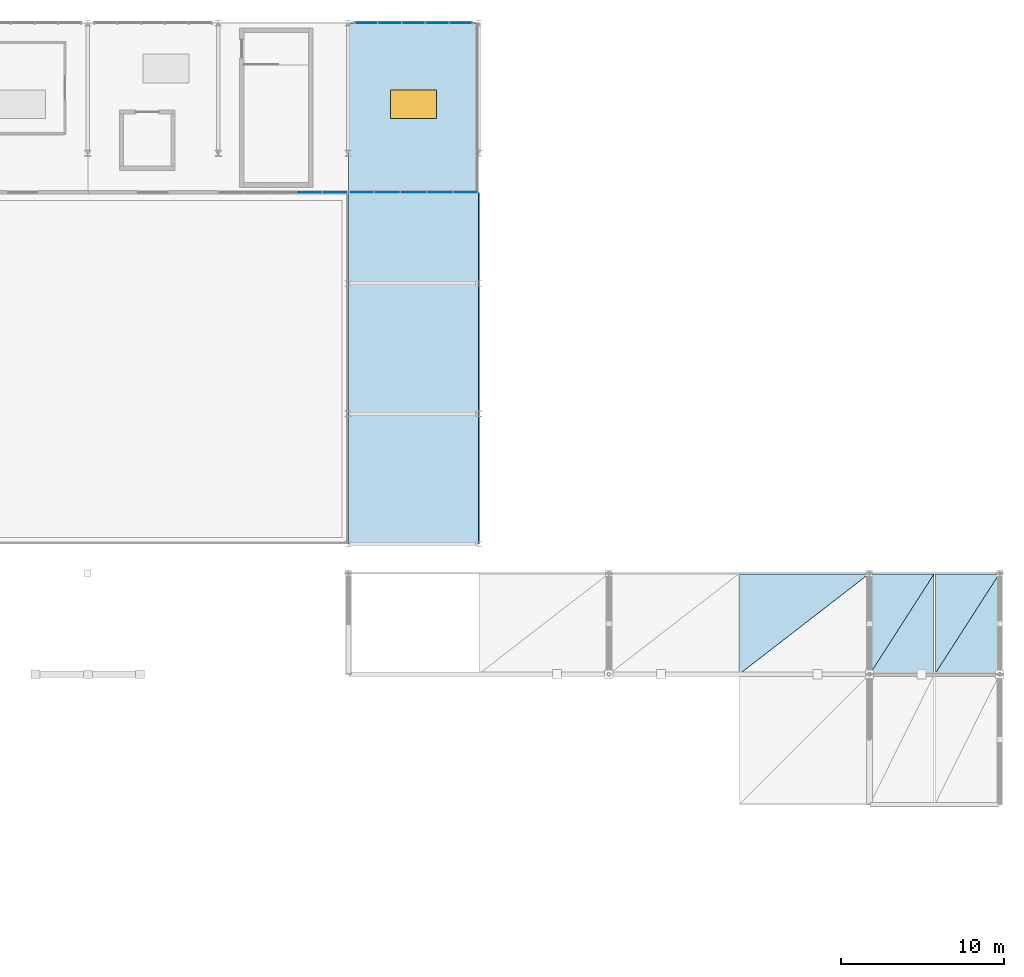
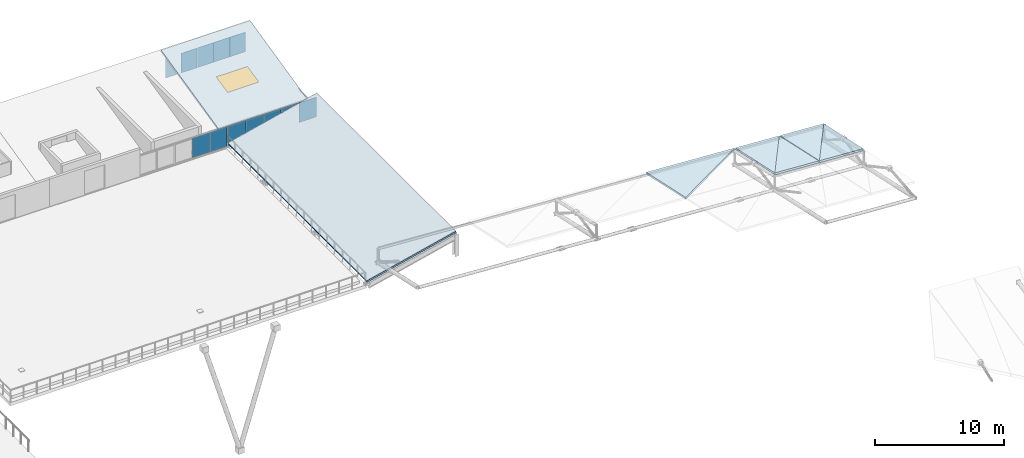
# One storey, part 51 of 83: 12 plates, 7 slabs, 1 window, 1 opening, 3 elements without a shape of their own.
"""IFC4 building model written with IfcOpenShell, lengths in metres."""

from ifc_helpers import new_model, si_unit, direction, frame, origin, origin_2d, place, context, subcontext, project, spatial, polyline, rectangle, outline, extrude, material, layer, layer_set, type_object, element, fill, aggregate, save


model = new_model("IFC4")

# Units and contexts
model_context = context("Model", 3, precision=1e-05, world=origin(), true_north=direction((0.0, 1.0)))
body_context = subcontext(model_context, "Body", "Model", "MODEL_VIEW")
ifc_project = project(units=[si_unit("LENGTHUNIT", "METRE"), si_unit("AREAUNIT", "SQUARE_METRE"), si_unit("VOLUMEUNIT", "CUBIC_METRE"), si_unit("PLANEANGLEUNIT", "RADIAN"), si_unit("MASSUNIT", "GRAM", prefix="KILO")], contexts=[model_context])

# Site, building, storey
site_placement = place(None, origin())
site = spatial("IfcSite", under=ifc_project, at=site_placement, CompositionType="ELEMENT")
building_placement = place(site_placement, origin())
building = spatial("IfcBuilding", under=site, at=building_placement, Name="Drelvath Fold Interchange", CompositionType="ELEMENT")
storey_placement = place(building_placement, frame((0.0, 0.0, 11.199951171875)))
storey = spatial("IfcBuildingStorey", under=building, at=storey_placement, Name="L02", CompositionType="ELEMENT", Elevation=11.199951171875)

# Curtain wall, plates
ifc_material_1 = material(Name="Anodized Aluminium 6063-T6", Category="aluminium")
curtain_wall_type = type_object("IfcCurtainWallType", Name="CW-CYC-SAW", PredefinedType="USERDEFINED", material=ifc_material_1)
curtain_wall_1_placement = place(storey_placement, origin())
curtain_wall_1 = element("IfcCurtainWall", 1, at=curtain_wall_1_placement, inside=storey, type_object=curtain_wall_type, Name="Curtain wall CW-CYC-L02-S126", ObjectType="UNITISED CURTAIN WALL", PredefinedType="USERDEFINED")
ifc_material_2 = material(Name="Low-Iron Insulated Laminated Glass", Category="glass")
ifc_layer_1 = layer(ifc_material_2, 0.028076171875, Name="Low-Iron Insulated Laminated Glass")
ifc_layer_set_1 = layer_set([ifc_layer_1], Name="Low-Iron Insulated Laminated Glass")
plate_type = type_object("IfcPlateType", Name="CP-CYC-A", PredefinedType="CURTAIN_PANEL", material=ifc_layer_set_1)
plate_1_placement = place(storey_placement, frame((131.60009765625, 96.60009765625, 0.0400390625), z_axis=(0.0, 0.0, 1.0), x_axis=(1.0, 0.0, 0.0)))
plate_1 = element("IfcPlate", 2, at=plate_1_placement, type_object=plate_type, Name="CW-CYC-L02-S126 glazed panel 3-0", PredefinedType="CURTAIN_PANEL", context=body_context, shape_type="SweptSolid", body=[
    extrude(rectangle(XDim=1.580078125, YDim=0.028076171875, at=origin_2d()), origin(), (0.0, 0.0, 1.0), 1.8701171875),
])
plate_2_placement = place(storey_placement, frame((133.179931640625, 96.60009765625, 0.0400390625), z_axis=(0.0, 0.0, 1.0), x_axis=(1.0, 0.0, 0.0)))
plate_2 = element("IfcPlate", 3, at=plate_2_placement, type_object=plate_type, Name="CW-CYC-L02-S126 glazed panel 4-0", PredefinedType="CURTAIN_PANEL", context=body_context, shape_type="SweptSolid", body=[
    extrude(rectangle(XDim=1.5400390625, YDim=0.028076171875, at=origin_2d()), origin(), (0.0, 0.0, 1.0), 1.8701171875),
])
aggregate(curtain_wall_1, [plate_1, plate_2])

curtain_wall_2_placement = place(storey_placement, origin())
curtain_wall_2 = element("IfcCurtainWall", 4, at=curtain_wall_2_placement, inside=storey, type_object=curtain_wall_type, Name="Curtain wall CW-CYC-L02-S134", ObjectType="UNITISED CURTAIN WALL", PredefinedType="USERDEFINED")
plate_3_placement = place(storey_placement, frame((134.820068359375, 96.60009765625, 0.0400390625), z_axis=(0.0, 0.0, 1.0), x_axis=(1.0, 0.0, 0.0)))
plate_3 = element("IfcPlate", 5, at=plate_3_placement, type_object=plate_type, Name="CW-CYC-L02-S134 glazed panel 0-0", PredefinedType="CURTAIN_PANEL", context=body_context, shape_type="SweptSolid", body=[
    extrude(rectangle(XDim=1.5400390625, YDim=0.028076171875, at=origin_2d()), origin(), (0.0, 0.0, 1.0), 1.8701171875),
])
plate_4_placement = place(storey_placement, frame((136.39990234375, 96.60009765625, 0.0400390625), z_axis=(0.0, 0.0, 1.0), x_axis=(1.0, 0.0, 0.0)))
plate_4 = element("IfcPlate", 6, at=plate_4_placement, type_object=plate_type, Name="CW-CYC-L02-S134 glazed panel 1-0", PredefinedType="CURTAIN_PANEL", context=body_context, shape_type="SweptSolid", body=[
    extrude(rectangle(XDim=1.580078125, YDim=0.028076171875, at=origin_2d()), origin(), (0.0, 0.0, 1.0), 1.8701171875),
])
plate_5_placement = place(storey_placement, frame((138.0, 96.60009765625, 0.0400390625), z_axis=(0.0, 0.0, 1.0), x_axis=(1.0, 0.0, 0.0)))
plate_5 = element("IfcPlate", 7, at=plate_5_placement, type_object=plate_type, Name="CW-CYC-L02-S134 glazed panel 2-0", PredefinedType="CURTAIN_PANEL", context=body_context, shape_type="SweptSolid", body=[
    extrude(rectangle(XDim=1.580078125, YDim=0.028076171875, at=origin_2d()), origin(), (0.0, 0.0, 1.0), 1.8701171875),
])
plate_6_placement = place(storey_placement, frame((139.60009765625, 96.60009765625, 0.0400390625), z_axis=(0.0, 0.0, 1.0), x_axis=(1.0, 0.0, 0.0)))
plate_6 = element("IfcPlate", 8, at=plate_6_placement, type_object=plate_type, Name="CW-CYC-L02-S134 glazed panel 3-0", PredefinedType="CURTAIN_PANEL", context=body_context, shape_type="SweptSolid", body=[
    extrude(rectangle(XDim=1.580078125, YDim=0.028076171875, at=origin_2d()), origin(), (0.0, 0.0, 1.0), 1.8701171875),
])
plate_7_placement = place(storey_placement, frame((141.179931640625, 96.60009765625, 0.0400390625), z_axis=(0.0, 0.0, 1.0), x_axis=(1.0, 0.0, 0.0)))
plate_7 = element("IfcPlate", 9, at=plate_7_placement, type_object=plate_type, Name="CW-CYC-L02-S134 glazed panel 4-0", PredefinedType="CURTAIN_PANEL", context=body_context, shape_type="SweptSolid", body=[
    extrude(rectangle(XDim=1.5400390625, YDim=0.028076171875, at=origin_2d()), origin(), (0.0, 0.0, 1.0), 1.8701171875),
])
aggregate(curtain_wall_2, [plate_3, plate_4, plate_5, plate_6, plate_7])

curtain_wall_3_placement = place(storey_placement, origin())
curtain_wall_3 = element("IfcCurtainWall", 10, at=curtain_wall_3_placement, inside=storey, type_object=curtain_wall_type, Name="Curtain wall CW-CYC-L02-N134", ObjectType="UNITISED CURTAIN WALL", PredefinedType="USERDEFINED")
plate_8_placement = place(storey_placement, frame((135.10791015625, 107.0, 0.0400390625), z_axis=(0.0, 0.0, 1.0), x_axis=(1.0, 0.0, 0.0)))
plate_8 = element("IfcPlate", 11, at=plate_8_placement, type_object=plate_type, Name="CW-CYC-L02-N134 glazed panel 0-0", PredefinedType="CURTAIN_PANEL", context=body_context, shape_type="SweptSolid", body=[
    extrude(rectangle(XDim=1.39599609375, YDim=0.028076171875, at=origin_2d()), origin(), (0.0, 0.0, 1.0), 1.8701171875),
])
plate_9_placement = place(storey_placement, frame((136.5439453125, 107.0, 0.0400390625), z_axis=(0.0, 0.0, 1.0), x_axis=(1.0, 0.0, 0.0)))
plate_9 = element("IfcPlate", 12, at=plate_9_placement, type_object=plate_type, Name="CW-CYC-L02-N134 glazed panel 1-0", PredefinedType="CURTAIN_PANEL", context=body_context, shape_type="SweptSolid", body=[
    extrude(rectangle(XDim=1.43603515625, YDim=0.028076171875, at=origin_2d()), origin(), (0.0, 0.0, 1.0), 1.8701171875),
])
plate_10_placement = place(storey_placement, frame((138.0, 107.0, 0.0400390625), z_axis=(0.0, 0.0, 1.0), x_axis=(1.0, 0.0, 0.0)))
plate_10 = element("IfcPlate", 13, at=plate_10_placement, type_object=plate_type, Name="CW-CYC-L02-N134 glazed panel 2-0", PredefinedType="CURTAIN_PANEL", context=body_context, shape_type="SweptSolid", body=[
    extrude(rectangle(XDim=1.43603515625, YDim=0.028076171875, at=origin_2d()), origin(), (0.0, 0.0, 1.0), 1.8701171875),
])
plate_11_placement = place(storey_placement, frame((139.4560546875, 107.0, 0.0400390625), z_axis=(0.0, 0.0, 1.0), x_axis=(1.0, 0.0, 0.0)))
plate_11 = element("IfcPlate", 14, at=plate_11_placement, type_object=plate_type, Name="CW-CYC-L02-N134 glazed panel 3-0", PredefinedType="CURTAIN_PANEL", context=body_context, shape_type="SweptSolid", body=[
    extrude(rectangle(XDim=1.43603515625, YDim=0.028076171875, at=origin_2d()), origin(), (0.0, 0.0, 1.0), 1.8701171875),
])
plate_12_placement = place(storey_placement, frame((140.89208984375, 107.0, 0.0400390625), z_axis=(0.0, 0.0, 1.0), x_axis=(1.0, 0.0, 0.0)))
plate_12 = element("IfcPlate", 15, at=plate_12_placement, type_object=plate_type, Name="CW-CYC-L02-N134 glazed panel 4-0", PredefinedType="CURTAIN_PANEL", context=body_context, shape_type="SweptSolid", body=[
    extrude(rectangle(XDim=1.39599609375, YDim=0.028076171875, at=origin_2d()), origin(), (0.0, 0.0, 1.0), 1.8701171875),
])
aggregate(curtain_wall_3, [plate_8, plate_9, plate_10, plate_11, plate_12])

# Slabs
ifc_material_3 = material(Name="Concrete f'c 35 MPa (5000 psi)", Category="concrete")
ifc_layer_2 = layer(ifc_material_3, 0.169921875, Name="Concrete f'c 35 MPa (5000 psi)")
ifc_layer_set_2 = layer_set([ifc_layer_2], Name="Concrete f'c 35 MPa (5000 psi)")
slab_type_1 = type_object("IfcSlabType", Name="RF-SF1", PredefinedType="ROOF", material=ifc_layer_set_2)
slab_1_placement = place(storey_placement, frame((158.030029296875, 67.030029296875, 4.703125), z_axis=(0.058601572976, 0.212724675863, 0.975353304154), x_axis=(0.778427890576, 0.60195200234, -0.178055626284)))
element("IfcSlab", 16, at=slab_1_placement, inside=storey, type_object=slab_type_1, Name="Space frame canopy sloped roof facet 142", PredefinedType="ROOF", context=body_context, shape_type="SweptSolid", body=[
    extrude(outline(polyline([(0.0, 0.0), (10.199970353541579, -8.881784197001252e-16), (3.93435693774895, 4.900238311185883), (0.0, 0.0)])), origin(), (0.0, 0.0, -1.0), 0.169921875),
])
slab_2_placement = place(storey_placement, frame((166.030029296875, 67.030029296875, 4.22216796875), z_axis=(0.058685301282, 0.212723627759, 0.975348498541), x_axis=(0.998194773078, 0.0, -0.060059928409)))
element("IfcSlab", 17, at=slab_2_placement, inside=storey, type_object=slab_type_1, Name="Space frame canopy sloped roof facet 153", PredefinedType="ROOF", context=body_context, shape_type="SweptSolid", body=[
    extrude(outline(polyline([(0.0, 0.0), (3.947066757424797, 0.0), (4.027493687923164, 6.283711604527835), (0.0, 0.0)])), origin(), (0.0, 0.0, -1.0), 0.169921875),
])
slab_3_placement = place(storey_placement, frame((166.030029296875, 67.030029296875, 4.22216796875), z_axis=(0.058685301282, 0.212723627759, 0.975348498541), x_axis=(0.527885582988, 0.822641871766, -0.21118040177)))
element("IfcSlab", 18, at=slab_3_placement, inside=storey, type_object=slab_type_1, Name="Space frame canopy sloped roof facet 154", PredefinedType="ROOF", context=body_context, shape_type="SweptSolid", body=[
    extrude(outline(polyline([(0.0, 0.0), (7.463627598905154, -7.355227538141662e-16), (5.333726791197164, 3.3230796765790553), (0.0, 0.0)])), origin(), (0.0, 0.0, -1.0), 0.169921875),
])
slab_4_placement = place(storey_placement, frame((170.030029296875, 67.030029296875, 3.98095703125), z_axis=(0.05862700514, 0.212576262777, 0.97538413293), x_axis=(0.99819847941, 0.0, -0.059998297498)))
element("IfcSlab", 19, at=slab_4_placement, inside=storey, type_object=slab_type_1, Name="Space frame canopy sloped roof facet 165", PredefinedType="ROOF", context=body_context, shape_type="SweptSolid", body=[
    extrude(outline(polyline([(0.0, 0.0), (3.947052101879628, 0.0), (4.027337909640461, 6.283505368101546), (0.0, 0.0)])), origin(), (0.0, 0.0, -1.0), 0.169921875),
])
slab_5_placement = place(storey_placement, frame((170.030029296875, 67.030029296875, 3.98095703125), z_axis=(0.058687721102, 0.212538477201, 0.975388715898), x_axis=(0.527903809677, 0.82267027572, -0.211024134107)))
element("IfcSlab", 20, at=slab_5_placement, inside=storey, type_object=slab_type_1, Name="Space frame canopy sloped roof facet 166", PredefinedType="ROOF", context=body_context, shape_type="SweptSolid", body=[
    extrude(outline(polyline([(0.0, 0.0), (7.46336990570534, -1.3877787807814457e-17), (5.33343433080675, 3.3230573925752953), (0.0, 0.0)])), origin(), (0.0, 0.0, -1.0), 0.169921875),
])

# Slab, opening, window
ifc_layer_3 = layer(ifc_material_3, 0.159912109375, Name="Concrete f'c 35 MPa (5000 psi)")
ifc_layer_set_3 = layer_set([ifc_layer_3], Name="Concrete f'c 35 MPa (5000 psi)")
slab_type_2 = type_object("IfcSlabType", Name="RF-SW1", PredefinedType="ROOF", material=ifc_layer_set_3)
slab_6_placement = place(storey_placement, frame((134.0, 96.60009765625, 0.449951171875), z_axis=(0.0, -0.224961408439, 0.974367674296), x_axis=(1.0, 0.0, 0.0)))
slab_6 = element("IfcSlab", 21, at=slab_6_placement, inside=storey, type_object=slab_type_2, Name="Cycle hub sawtooth roof 3", PredefinedType="ROOF", context=body_context, shape_type="SweptSolid", body=[
    extrude(outline(polyline([(0.0, 0.0), (8.0, 0.0), (8.0, 10.673488682046326), (0.0, 10.673488682046326), (0.0, 0.0)])), origin(), (0.0, 0.0, -1.0), 0.159912109375),
])
opening_placement = place(slab_6_placement, frame((4.0, 5.5419921875, 0.010009765625)))
opening = element("IfcOpeningElement", 22, at=opening_placement, cuts=slab_6, Name="Opening SK-23", PredefinedType="OPENING", context=body_context, shape_type="SweptSolid", body=[
    extrude(rectangle(XDim=2.800048828125, YDim=1.800048828125, at=origin_2d()), origin(), (0.0, 0.0, -1.0), 0.179931640625),
])
ifc_material_4 = material(Name="Fritted Laminated Skylight Glass", Category="glass")
window_type = type_object("IfcWindowType", Name="SK-280x180", PartitioningType="SINGLE_PANEL", PredefinedType="SKYLIGHT", material=ifc_material_4)
window_placement = place(slab_6_placement, frame((4.0, 5.5419921875, 0.0)))
window = element("IfcWindow", 23, at=window_placement, inside=storey, type_object=window_type, Name="Roof skylight SK-23", OverallHeight=1.800048828125, OverallWidth=2.800048828125, PartitioningType="SINGLE_PANEL", PredefinedType="SKYLIGHT", context=body_context, shape_type="SweptSolid", body=[
    extrude(rectangle(XDim=2.800048828125, YDim=1.800048828125, at=origin_2d()), origin(), (0.0, 0.0, -1.0), 0.050048828125),
])
fill(opening, window)

# Slab
slab_7_placement = place(storey_placement, frame((134.0, 75.0, 0.35009765625), z_axis=(-0.233476204628, 0.0, 0.972362515666), x_axis=(0.972362515666, 0.0, 0.233476204628)))
element("IfcSlab", 24, at=slab_7_placement, inside=storey, type_object=slab_type_2, Name="Cycle hub east sawtooth roof", PredefinedType="ROOF", context=body_context, shape_type="SweptSolid", body=[
    extrude(outline(polyline([(0.0, 0.0), (8.227384201992146, 0.0), (8.227384201992146, 21.60009765625), (0.0, 21.60009765625), (0.0, 0.0)])), origin(), (0.0, 0.0, -1.0), 0.159912109375),
])

save(model, "model.ifc")
